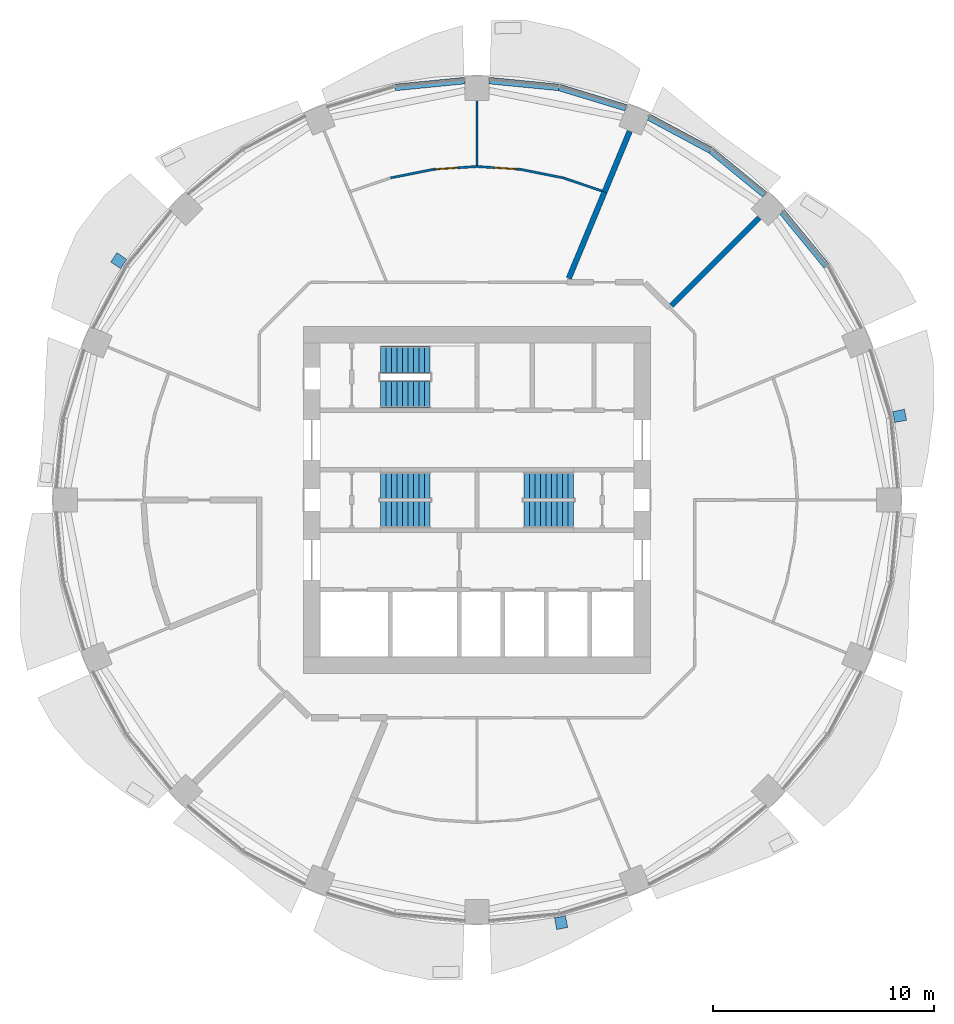
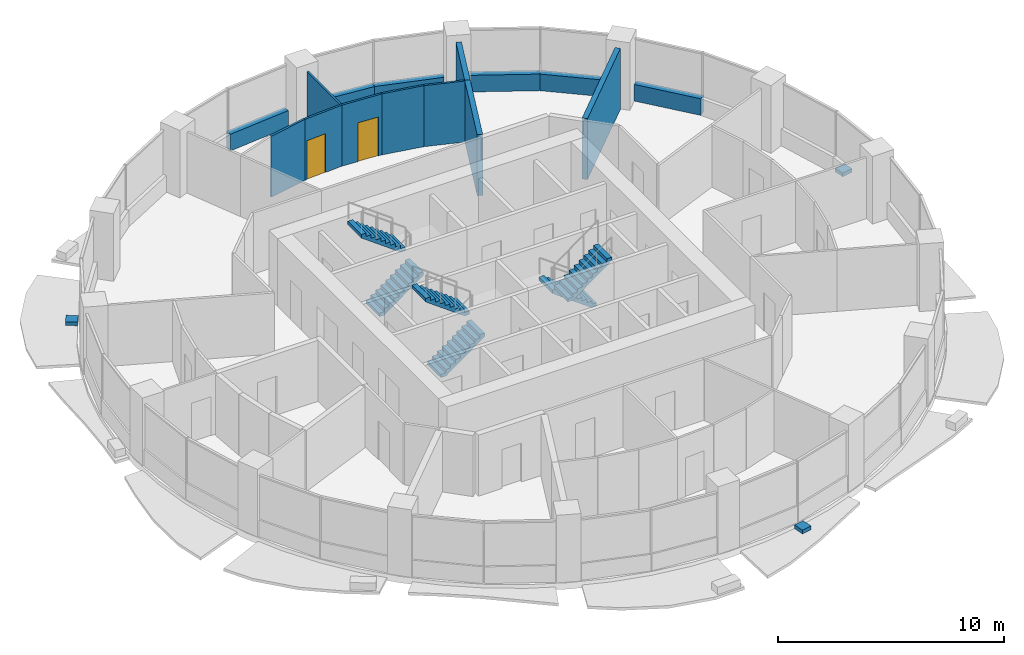
# One storey, part 10 of 14: 15 walls, 6 stair flights, 3 discrete accessories, 2 doors, 2 openings, 3 elements without a shape of their own.
"""IFC4 building model written with IfcOpenShell, lengths in metres."""

import ifcopenshell
import ifcopenshell.guid

model = None  # the IFC model being written
_history = None  # IfcOwnerHistory: only IFC2X3 demands one
_inside = {}  # id of a spatial element -> (the spatial element, [elements in it])
_under = {}  # id of a project, library or spatial element -> (it, [spatial elements below it])
_declared = {}  # id of a project -> (the project, [libraries it declares])
_typed = {}  # id of a type object -> (the type object, [elements of that type])
_made_of = {}  # id of a material, layer set ... -> (it, [elements and type objects made of it])


def new_model(schema):
    """Start an empty IFC model of exactly this schema.

    Asked for "IFC4X3", IfcOpenShell would pick the latest addendum, in which some entities
    have other attributes; the version numbers below select the first issue.
    IFC2X3 requires an IfcOwnerHistory on every rooted entity: one is made here for all.
    """
    global model, _history
    if schema == "IFC4X3":
        model = ifcopenshell.file(schema_version=(4, 3, 0, 0))
    else:
        model = ifcopenshell.file(schema=schema)
    _inside.clear()
    _under.clear()
    _declared.clear()
    _typed.clear()
    _made_of.clear()
    _history = None
    if model.schema == "IFC2X3":
        org = make("IfcOrganization", Name="unknown")
        user = make(
            "IfcPersonAndOrganization",
            ThePerson=make("IfcPerson", FamilyName="unknown"),
            TheOrganization=org,
        )
        app = make(
            "IfcApplication",
            ApplicationDeveloper=org,
            Version="unknown",
            ApplicationFullName="unknown",
            ApplicationIdentifier="unknown",
        )
        _history = make(
            "IfcOwnerHistory",
            OwningUser=user,
            OwningApplication=app,
            ChangeAction="ADDED",
            CreationDate=0,
        )
    return model


def make(cls, **values):
    """One entity of the class cls with the attributes given. An attribute that is None is left unset."""
    return model.create_entity(
        cls, **{name: value for name, value in values.items() if value is not None}
    )


def rooted(cls, **values):
    """An entity with a GlobalId (a new one), such as an element, a storey or a relation."""
    return make(cls, GlobalId=ifcopenshell.guid.new(), OwnerHistory=_history, **values)


def si_unit(unit_type, name, prefix=None):
    """IfcSIUnit, for example si_unit("LENGTHUNIT", "METRE", prefix="MILLI")."""
    return make("IfcSIUnit", UnitType=unit_type, Prefix=prefix, Name=name)


def assignment(units):
    """IfcUnitAssignment: the units of a project."""
    return None if units is None else make("IfcUnitAssignment", Units=units)


def point(xyz):
    """IfcCartesianPoint."""
    return None if xyz is None else make("IfcCartesianPoint", Coordinates=xyz)


def direction(xyz):
    """IfcDirection."""
    return None if xyz is None else make("IfcDirection", DirectionRatios=xyz)


def frame(location, z_axis=None, x_axis=None):
    """IfcAxis2Placement3D, a coordinate frame: its origin and axes. An axis left out is left unset."""
    return make(
        "IfcAxis2Placement3D",
        Location=point(location),
        Axis=direction(z_axis),
        RefDirection=direction(x_axis),
    )


def frame_2d(location, x_axis=None):
    """IfcAxis2Placement2D, a coordinate frame in the plane: its origin and x axis."""
    return make(
        "IfcAxis2Placement2D", Location=point(location), RefDirection=direction(x_axis)
    )


def origin():
    """The frame at (0, 0, 0) with its axes left unset."""
    return frame((0.0, 0.0, 0.0))


def place(relative_to, where):
    """IfcLocalPlacement: puts the frame where relative to a parent placement (None: the world)."""
    return make(
        "IfcLocalPlacement", PlacementRelTo=relative_to, RelativePlacement=where
    )


def context(
    kind, dimensions, precision=None, world=None, true_north=None, identifier=None
):
    """IfcGeometricRepresentationContext, for example the 3D "Model" context."""
    return make(
        "IfcGeometricRepresentationContext",
        ContextIdentifier=identifier,
        ContextType=kind,
        CoordinateSpaceDimension=dimensions,
        Precision=precision,
        WorldCoordinateSystem=world,
        TrueNorth=true_north,
    )


def subcontext(parent, identifier, kind, view, scale=None):
    """IfcGeometricRepresentationSubContext, for example "Body" below "Model"."""
    return make(
        "IfcGeometricRepresentationSubContext",
        ContextIdentifier=identifier,
        ContextType=kind,
        ParentContext=parent,
        TargetScale=scale,
        TargetView=view,
    )


def project(units=None, contexts=None):
    """IfcProject with its units and contexts."""
    return rooted(
        "IfcProject",
        Name="project",
        RepresentationContexts=contexts,
        UnitsInContext=assignment(units),
    )


def spatial(cls, under=None, at=None, **own):
    """A site, building, storey or space (cls), placed at a placement, below another one or the project."""
    s = rooted(cls, ObjectPlacement=at, **own)
    if under is not None:
        _under.setdefault(under.id(), (under, []))[1].append(s)
    return s


def polyline(points):
    """IfcPolyline through the points."""
    return make("IfcPolyline", Points=[point(p) for p in points])


def profile(cls, at=None, kind="AREA", **sizes):
    """A parametric profile (cls). Its sizes go by their IFC names, for example OverallWidth=200.0."""
    return make(cls, ProfileType=kind, Position=at, **sizes)


def rectangle(**sizes):
    """IfcRectangleProfileDef."""
    return profile("IfcRectangleProfileDef", **sizes)


def outline(outer, holes=None, kind="AREA"):
    """IfcArbitraryClosedProfileDef: a profile drawn as a closed curve; with holes, ...WithVoids."""
    if holes is None:
        return make("IfcArbitraryClosedProfileDef", ProfileType=kind, OuterCurve=outer)
    return make(
        "IfcArbitraryProfileDefWithVoids",
        ProfileType=kind,
        OuterCurve=outer,
        InnerCurves=holes,
    )


def extrude(swept, where, along, depth):
    """IfcExtrudedAreaSolid: the profile swept, set in the frame where, extruded along a direction by depth."""
    return make(
        "IfcExtrudedAreaSolid",
        SweptArea=swept,
        Position=where,
        ExtrudedDirection=direction(along),
        Depth=depth,
    )


def shape(context_of_items, identifier, shape_type, items):
    """IfcShapeRepresentation: the items that make up one representation, for example the "Body"."""
    return make(
        "IfcShapeRepresentation",
        ContextOfItems=context_of_items,
        RepresentationIdentifier=identifier,
        RepresentationType=shape_type,
        Items=items,
    )


def material(Name=None, Category=None):
    """IfcMaterial."""
    return make("IfcMaterial", Name=Name, Category=Category)


def layer(
    of_material, thickness, ventilated=None, Name=None, Category=None, Priority=None
):
    """IfcMaterialLayer: one layer of a wall or slab, of a material (None: an air gap)."""
    return make(
        "IfcMaterialLayer",
        Material=of_material,
        LayerThickness=thickness,
        IsVentilated=ventilated,
        Name=Name,
        Category=Category,
        Priority=Priority,
    )


def layer_set(layers, Name=None):
    """IfcMaterialLayerSet."""
    return make("IfcMaterialLayerSet", MaterialLayers=layers, LayerSetName=Name)


def made_of(thing, what):
    """Note that an element or type object is made of a material, layer set ...; save() writes the relation."""
    if what is not None:
        _made_of.setdefault(what.id(), (what, []))[1].append(thing)
    return thing


def type_object(cls, material=None, **own):
    """A type object (cls), such as IfcWallType, which elements share."""
    return made_of(rooted(cls, **own), material)


def element(
    cls,
    number,
    at=None,
    inside=None,
    cuts=None,
    type_object=None,
    material=None,
    context=None,
    identifier="Body",
    shape_type=None,
    held_by="IfcProductDefinitionShape",
    body=None,
    shapes=None,
    **own,
):
    """One element of the class cls, such as IfcWall. Its Tag is "e" and its number.

    at: its placement. inside: the storey or other place that contains it. cuts: it is an
    opening in that element (IfcRelVoidsElement). A single representation is given by context,
    identifier, shape_type and body (its items); several are given by shapes. held_by: the class
    of the entity that holds the representations. save() writes the other relations.
    """
    e = rooted(cls, Tag="e%d" % number, ObjectPlacement=at, **own)
    if body is not None:
        shapes = [shape(context, identifier, shape_type, body)]
    if shapes is not None:
        e.Representation = make(held_by, Representations=shapes)
    if inside is not None:
        _inside.setdefault(inside.id(), (inside, []))[1].append(e)
    if cuts is not None:
        rooted(
            "IfcRelVoidsElement", RelatingBuildingElement=cuts, RelatedOpeningElement=e
        )
    if type_object is not None:
        _typed.setdefault(type_object.id(), (type_object, []))[1].append(e)
    return made_of(e, material)


def fill(opening, filler):
    """IfcRelFillsElement: the door or window that sits in an opening."""
    return rooted(
        "IfcRelFillsElement",
        RelatingOpeningElement=opening,
        RelatedBuildingElement=filler,
    )


def aggregate(whole, parts):
    """IfcRelAggregates: a whole, such as a stair, and the parts it consists of."""
    return rooted("IfcRelAggregates", RelatingObject=whole, RelatedObjects=parts)


def save(model, path):
    """Write the relations noted so far, then the file.

    IfcRelAggregates (storeys below a building ...), IfcRelContainedInSpatialStructure (elements
    in a storey), IfcRelDefinesByType, IfcRelAssociatesMaterial and IfcRelDeclares: one each for
    every whole, place, type object, material and project.
    """
    for whole, parts in _under.values():
        aggregate(whole, parts)
    for where, things in _inside.values():
        rooted(
            "IfcRelContainedInSpatialStructure",
            RelatedElements=things,
            RelatingStructure=where,
        )
    for kind, things in _typed.values():
        rooted("IfcRelDefinesByType", RelatedObjects=things, RelatingType=kind)
    for what, things in _made_of.values():
        rooted("IfcRelAssociatesMaterial", RelatedObjects=things, RelatingMaterial=what)
    for by, libraries in _declared.values():
        rooted("IfcRelDeclares", RelatingContext=by, RelatedDefinitions=libraries)
    model.write(path)


model = new_model("IFC4")

# Units and contexts
model_context = context("Model", 3, precision=1e-05, world=origin(), true_north=direction((0.0, 1.0)))
body_context = subcontext(model_context, "Body", "Model", "MODEL_VIEW")
ifc_project = project(units=[si_unit("LENGTHUNIT", "METRE"), si_unit("AREAUNIT", "SQUARE_METRE"), si_unit("VOLUMEUNIT", "CUBIC_METRE"), si_unit("PLANEANGLEUNIT", "RADIAN"), si_unit("MASSUNIT", "GRAM", prefix="KILO")], contexts=[model_context])

# Site, building, storey
site_placement = place(None, origin())
site = spatial("IfcSite", under=ifc_project, at=site_placement, CompositionType="ELEMENT")
building_placement = place(site_placement, origin())
building = spatial("IfcBuilding", under=site, at=building_placement, Name="Polderwave Tower", CompositionType="ELEMENT")
storey_placement = place(building_placement, frame((0.0, 0.0, 101.949951171875)))
storey = spatial("IfcBuildingStorey", under=building, at=storey_placement, Name="L26", CompositionType="ELEMENT", Elevation=101.949951171875)

# Walls
ifc_material_1 = material(Name="Concrete C50/60 (board-marked)", Category="concrete")
ifc_layer_1 = layer(ifc_material_1, 0.300048828125)
ifc_layer_set_1 = layer_set([ifc_layer_1], Name="Concrete spandrel upstand C50/60")
wall_type_1 = type_object("IfcWallType", Name="Concrete spandrel upstand C50/60", PredefinedType="SOLIDWALL", material=ifc_layer_set_1)
for number, where, z_axis, x_axis, name in (
    (1, (15.846435546875, 10.606689453125, 0.0), (0.0, 0.0, 1.0), (-0.63437822698, 0.773022810229, 0.0), "Spandrel L26 2b"),
    (2, (13.04736328125, 13.843505859375, 0.0), (0.0, 0.0, 1.0), (-0.773022810229, 0.63437822698, 0.0), "Spandrel L26 3a"),
    (3, (10.581787109375, 15.863037109375, 0.0), (0.0, 0.0, 1.0), (-0.882005928597, 0.471238306932, 0.0), "Spandrel L26 3b"),
):
    element("IfcWall", number, at=place(storey_placement, frame(where, z_axis=z_axis, x_axis=x_axis)), inside=storey, type_object=wall_type_1, Name=name, PredefinedType="SOLIDWALL", context=body_context, shape_type="SweptSolid", body=[
        extrude(rectangle(XDim=3.1572265625, YDim=0.300048828125, at=frame_2d((1.57861328125, 0.0))), origin(), (0.0, 0.0, 1.0), 0.900146484375),
    ])
wall_1_placement = place(storey_placement, frame((6.755615234375, 17.782470703125, 0.0), z_axis=(0.0, 0.0, 1.0), x_axis=(-0.956874051907, 0.290503096001, 0.0)))
element("IfcWall", 4, at=wall_1_placement, inside=storey, type_object=wall_type_1, Name="Spandrel L26 4a", PredefinedType="SOLIDWALL", context=body_context, shape_type="SweptSolid", body=[
    extrude(rectangle(XDim=3.157470703125, YDim=0.300048828125, at=frame_2d((1.57861328125, 0.0))), origin(), (0.0, 0.0, 1.0), 0.900146484375),
])
for number, where, z_axis, x_axis, name in (
    (5, (3.705078125, 18.70556640625, 0.0), (0.0, 0.0, 1.0), (-0.995201239587, 0.097849336863, 0.0), "Spandrel L26 4b"),
    (6, (-0.56396484375, 19.014404296875, 0.0), (0.0, 0.0, 1.0), (-0.995201239587, -0.097849336863, 0.0), "Spandrel L26 5a"),
):
    element("IfcWall", number, at=place(storey_placement, frame(where, z_axis=z_axis, x_axis=x_axis)), inside=storey, type_object=wall_type_1, Name=name, PredefinedType="SOLIDWALL", context=body_context, shape_type="SweptSolid", body=[
        extrude(rectangle(XDim=3.15625, YDim=0.300048828125, at=frame_2d((1.578125, 0.0))), origin(), (0.0, 0.0, 1.0), 0.900146484375),
    ])
ifc_material_2 = material(Name="Plasterboard on steel studs", Category="steel")
ifc_layer_2 = layer(ifc_material_2, 0.10009765625)
ifc_layer_set_2 = layer_set([ifc_layer_2], Name="Partition 100 mm plasterboard on steel studs")
wall_type_2 = type_object("IfcWallType", Name="Partition 100 mm plasterboard on steel studs", PredefinedType="PARTITIONING", material=ifc_layer_set_2)
wall_2_placement = place(storey_placement, frame((0.0, 15.17578125, 0.0), z_axis=(0.0, 0.0, 1.0), x_axis=(0.0, 1.0, 0.0)))
element("IfcWall", 7, at=wall_2_placement, inside=storey, type_object=wall_type_2, Name="IN-L26-W035", PredefinedType="PARTITIONING", context=body_context, shape_type="SweptSolid", body=[
    extrude(rectangle(XDim=2.914306640625, YDim=0.10009765625, at=frame_2d((1.45703125, 0.0))), origin(), (0.0, 0.0, 1.0), 3.300048828125),
])

# Wall, opening, door
ifc_material_3 = material(Name="Moisture-resistant board on steel studs, tiled", Category="steel")
ifc_layer_3 = layer(ifc_material_3, 0.10498046875)
ifc_layer_set_3 = layer_set([ifc_layer_3], Name="Partition 105 mm wet room board and tile")
wall_type_3 = type_object("IfcWallType", Name="Partition 105 mm wet room board and tile", PredefinedType="PARTITIONING", material=ifc_layer_set_3)
wall_3_placement = place(storey_placement, frame((0.0, 15.1201171875, 0.0), z_axis=(0.0, 0.0, 1.0), x_axis=(0.997850326374, -0.06553416022, 0.0)))
wall_3 = element("IfcWall", 8, at=wall_3_placement, inside=storey, type_object=wall_type_3, Name="IN-L26-W032", PredefinedType="PARTITIONING", context=body_context, shape_type="SweptSolid", body=[
    extrude(rectangle(XDim=1.974365234375, YDim=0.10498046875, at=frame_2d((0.9873046875, 0.0))), origin(), (0.0, 0.0, 1.0), 3.300048828125),
])
opening_1_placement = place(wall_3_placement, frame((0.800048828125, 0.0, 0.0)))
opening_1 = element("IfcOpeningElement", 9, at=opening_1_placement, cuts=wall_3, Name="Opening L26-D61", PredefinedType="OPENING", context=body_context, shape_type="SweptSolid", body=[
    extrude(rectangle(XDim=1.0, YDim=2.10009765625, at=frame_2d((0.5, 1.050048828125))), frame((0.0, 0.0625, 0.0), z_axis=(0.0, -1.0, 0.0), x_axis=(1.0, 0.0, 0.0)), (0.0, 0.0, 1.0), 0.125),
])
ifc_material_4 = material(Name="Timber veneer door leaf", Category="wood")
door_type = type_object("IfcDoorType", Name="Single door 1000 x 2100", OperationType="NOTDEFINED", PredefinedType="DOOR", material=ifc_material_4)
door_1_placement = place(opening_1_placement, origin())
door_1 = element("IfcDoor", 10, at=door_1_placement, inside=storey, type_object=door_type, Name="Door L26-D61", OperationType="SINGLE_SWING_RIGHT", OverallHeight=2.10009765625, OverallWidth=1.0, PredefinedType="DOOR", context=body_context, shape_type="SweptSolid", body=[
    extrude(rectangle(XDim=1.0, YDim=2.10009765625, at=frame_2d((0.5, 1.050048828125))), frame((0.0, 0.02490234375, 0.0), z_axis=(0.0, -1.0, 0.0), x_axis=(1.0, 0.0, 0.0)), (0.0, 0.0, 1.0), 0.050048828125),
])
fill(opening_1, door_1)

# Walls
wall_4_placement = place(storey_placement, frame((3.909912109375, 14.60546875, 0.0), z_axis=(0.0, 0.0, 1.0), x_axis=(-0.980780283586, 0.195115441032, 0.0)))
element("IfcWall", 11, at=wall_4_placement, inside=storey, type_object=wall_type_3, Name="IN-L26-W033", PredefinedType="PARTITIONING", context=body_context, shape_type="SweptSolid", body=[
    extrude(rectangle(XDim=1.970703125, YDim=0.10498046875, at=frame_2d((0.9853515625, 0.0))), origin(), (0.0, 0.0, 1.0), 3.300048828125),
])
wall_5_placement = place(storey_placement, frame((5.664306640625, 14.010498046875, 0.0), z_axis=(0.0, 0.0, 1.0), x_axis=(-0.946936290846, 0.321421313976, 0.0)))
element("IfcWall", 12, at=wall_5_placement, inside=storey, type_object=wall_type_3, Name="IN-L26-W034", PredefinedType="PARTITIONING", context=body_context, shape_type="SweptSolid", body=[
    extrude(rectangle(XDim=1.845703125, YDim=0.10498046875, at=frame_2d((0.9228515625, 0.0))), origin(), (0.0, 0.0, 1.0), 3.300048828125),
])
wall_6_placement = place(storey_placement, frame((-3.909912109375, 14.60546875, 0.0), z_axis=(0.0, 0.0, 1.0), x_axis=(0.980780283586, 0.195115441032, 0.0)))
element("IfcWall", 13, at=wall_6_placement, inside=storey, type_object=wall_type_3, Name="IN-L26-W037", PredefinedType="PARTITIONING", context=body_context, shape_type="SweptSolid", body=[
    extrude(rectangle(XDim=1.970703125, YDim=0.10498046875, at=frame_2d((0.9853515625, 0.0))), origin(), (0.0, 0.0, 1.0), 3.300048828125),
])

# Wall, opening, door
wall_7_placement = place(storey_placement, frame((-1.97021484375, 14.99072265625, 0.0), z_axis=(0.0, 0.0, 1.0), x_axis=(0.997850326374, 0.06553416022, 0.0)))
wall_7 = element("IfcWall", 14, at=wall_7_placement, inside=storey, type_object=wall_type_3, Name="IN-L26-W038", PredefinedType="PARTITIONING", context=body_context, shape_type="SweptSolid", body=[
    extrude(rectangle(XDim=1.974365234375, YDim=0.10498046875, at=frame_2d((0.9873046875, 0.0))), origin(), (0.0, 0.0, 1.0), 3.300048828125),
])
opening_2_placement = place(wall_7_placement, frame((0.10009765625, 0.0, 0.0)))
opening_2 = element("IfcOpeningElement", 15, at=opening_2_placement, cuts=wall_7, Name="Opening L26-D62", PredefinedType="OPENING", context=body_context, shape_type="SweptSolid", body=[
    extrude(rectangle(XDim=1.0, YDim=2.10009765625, at=frame_2d((0.5, 1.050048828125))), frame((0.0, 0.0625, 0.0), z_axis=(0.0, -1.0, 0.0), x_axis=(1.0, 0.0, 0.0)), (0.0, 0.0, 1.0), 0.125),
])
door_2_placement = place(opening_2_placement, origin())
door_2 = element("IfcDoor", 16, at=door_2_placement, inside=storey, type_object=door_type, Name="Door L26-D62", OperationType="SINGLE_SWING_LEFT", OverallHeight=2.10009765625, OverallWidth=1.0, PredefinedType="DOOR", context=body_context, shape_type="SweptSolid", body=[
    extrude(rectangle(XDim=1.0, YDim=2.10009765625, at=frame_2d((0.5, 1.050048828125))), frame((0.0, 0.02490234375, 0.0), z_axis=(0.0, -1.0, 0.0), x_axis=(1.0, 0.0, 0.0)), (0.0, 0.0, 1.0), 0.050048828125),
])
fill(opening_2, door_2)

# Walls
ifc_material_5 = material(Name="Fire-resisting board on steel studs, mineral wool", Category="steel")
ifc_layer_4 = layer(ifc_material_5, 0.25)
ifc_layer_set_4 = layer_set([ifc_layer_4], Name="Plant room wall 250 mm EI 120")
wall_type_4 = type_object("IfcWallType", Name="Plant room wall 250 mm EI 120", PredefinedType="PARTITIONING", material=ifc_layer_set_4)
wall_8_placement = place(storey_placement, frame((12.79150390625, 12.79150390625, 0.0), z_axis=(0.0, 0.0, 1.0), x_axis=(-0.707106781187, -0.707106781187, 0.0)))
element("IfcWall", 17, at=wall_8_placement, inside=storey, type_object=wall_type_4, Name="IN-L26-W029", PredefinedType="PARTITIONING", context=body_context, shape_type="SweptSolid", body=[
    extrude(rectangle(XDim=5.629638671875, YDim=0.25, at=frame_2d((2.81494140625, 0.0))), origin(), (0.0, 0.0, 1.0), 3.300048828125),
])
wall_9_placement = place(storey_placement, frame((5.7861328125, 13.968994140625, 0.0), z_axis=(0.0, 0.0, 1.0), x_axis=(0.382659139036, 0.923889594764, 0.0)))
element("IfcWall", 18, at=wall_9_placement, inside=storey, type_object=wall_type_4, Name="IN-L26-W030", PredefinedType="PARTITIONING", context=body_context, shape_type="SweptSolid", body=[
    extrude(rectangle(XDim=2.969970703125, YDim=0.25, at=frame_2d((1.48486328125, 0.0))), origin(), (0.0, 0.0, 1.0), 3.300048828125),
])
wall_10_placement = place(storey_placement, frame((4.16162109375, 10.046875, 0.0), z_axis=(0.0, 0.0, 1.0), x_axis=(0.382666699469, 0.923886463326, 0.0)))
element("IfcWall", 19, at=wall_10_placement, inside=storey, type_object=wall_type_4, Name="IN-L26-W031", PredefinedType="PARTITIONING", context=body_context, shape_type="SweptSolid", body=[
    extrude(rectangle(XDim=4.245361328125, YDim=0.25, at=frame_2d((2.12255859375, 0.0))), origin(), (0.0, 0.0, 1.0), 3.300048828125),
])

# Stair, stair flights
ifc_material_6 = material(Name="Concrete C40/50", Category="concrete")
stair_type = type_object("IfcStairType", Name="Exit stair 1200 x 20 risers", PredefinedType="HALF_TURN_STAIR", material=ifc_material_6)
stair_1_placement = place(storey_placement, origin())
stair_1 = element("IfcStair", 20, at=stair_1_placement, inside=storey, type_object=stair_type, Name="L26 Exit stair A", PredefinedType="HALF_TURN_STAIR")
stair_flight_type = type_object("IfcStairFlightType", Name="Stair flight 1200", PredefinedType="STRAIGHT", material=ifc_material_6)
stair_flight_1_placement = place(storey_placement, frame((-4.3740234375, -0.675048828125, 0.0), z_axis=(0.0, 0.0, 1.0), x_axis=(1.0, 0.0, 0.0)))
stair_flight_1 = element("IfcStairFlight", 21, at=stair_flight_1_placement, type_object=stair_flight_type, Name="ST-A flight 1", NumberOfRisers=10, NumberOfTreads=9, PredefinedType="STRAIGHT", RiserHeight=0.1825, TreadLength=0.25, context=body_context, shape_type="SweptSolid", body=[
    extrude(outline(polyline([(0.0, 0.0), (0.0, 0.1826171875), (0.25, 0.1826171875), (0.25, 0.364990234375), (0.5, 0.364990234375), (0.5, 0.547607421875), (0.75, 0.547607421875), (0.75, 0.72998046875), (1.0, 0.72998046875), (1.0, 0.91259765625), (1.25, 0.91259765625), (1.25, 1.094970703125), (1.5, 1.094970703125), (1.5, 1.277587890625), (1.75, 1.277587890625), (1.75, 1.4599609375), (2.0, 1.4599609375), (2.0, 1.642578125), (2.25, 1.642578125), (2.25, 1.824951171875), (2.25, 1.456787109375), (0.254150390625, 0.0), (0.0, 0.0)])), frame((0.0, 0.60009765625, 0.0), z_axis=(0.0, -1.0, 0.0), x_axis=(1.0, 0.0, 0.0)), (0.0, 0.0, 1.0), 1.199951171875),
])
stair_flight_2_placement = place(storey_placement, frame((-2.1240234375, 0.675048828125, 1.824951171875), z_axis=(0.0, 0.0, 1.0), x_axis=(-1.0, 0.0, 0.0)))
stair_flight_2 = element("IfcStairFlight", 22, at=stair_flight_2_placement, type_object=stair_flight_type, Name="ST-A flight 2", NumberOfRisers=10, NumberOfTreads=9, PredefinedType="STRAIGHT", RiserHeight=0.1825, TreadLength=0.25, context=body_context, shape_type="SweptSolid", body=[
    extrude(outline(polyline([(0.0, 0.0), (0.0, 0.1826171875), (0.25, 0.1826171875), (0.25, 0.364990234375), (0.5, 0.364990234375), (0.5, 0.547607421875), (0.75, 0.547607421875), (0.75, 0.72998046875), (1.0, 0.72998046875), (1.0, 0.91259765625), (1.25, 0.91259765625), (1.25, 1.094970703125), (1.5, 1.094970703125), (1.5, 1.277587890625), (1.75, 1.277587890625), (1.75, 1.4599609375), (2.0, 1.4599609375), (2.0, 1.642578125), (2.25, 1.642578125), (2.25, 1.824951171875), (2.25, 1.456787109375), (0.254150390625, 0.0), (0.0, 0.0)])), frame((0.0, 0.60009765625, 0.0), z_axis=(0.0, -1.0, 0.0), x_axis=(1.0, 0.0, 0.0)), (0.0, 0.0, 1.0), 1.199951171875),
])
aggregate(stair_1, [stair_flight_1, stair_flight_2])

stair_2_placement = place(storey_placement, origin())
stair_2 = element("IfcStair", 23, at=stair_2_placement, inside=storey, type_object=stair_type, Name="L26 Exit stair B", PredefinedType="HALF_TURN_STAIR")
stair_flight_3_placement = place(storey_placement, frame((4.3740234375, 0.675048828125, 0.0), z_axis=(0.0, 0.0, 1.0), x_axis=(-1.0, 0.0, 0.0)))
stair_flight_3 = element("IfcStairFlight", 24, at=stair_flight_3_placement, type_object=stair_flight_type, Name="ST-B flight 1", NumberOfRisers=10, NumberOfTreads=9, PredefinedType="STRAIGHT", RiserHeight=0.1825, TreadLength=0.25, context=body_context, shape_type="SweptSolid", body=[
    extrude(outline(polyline([(0.0, 0.0), (0.0, 0.1826171875), (0.25, 0.1826171875), (0.25, 0.364990234375), (0.5, 0.364990234375), (0.5, 0.547607421875), (0.75, 0.547607421875), (0.75, 0.72998046875), (1.0, 0.72998046875), (1.0, 0.91259765625), (1.25, 0.91259765625), (1.25, 1.094970703125), (1.5, 1.094970703125), (1.5, 1.277587890625), (1.75, 1.277587890625), (1.75, 1.4599609375), (2.0, 1.4599609375), (2.0, 1.642578125), (2.25, 1.642578125), (2.25, 1.824951171875), (2.25, 1.456787109375), (0.254150390625, 0.0), (0.0, 0.0)])), frame((0.0, 0.60009765625, 0.0), z_axis=(0.0, -1.0, 0.0), x_axis=(1.0, 0.0, 0.0)), (0.0, 0.0, 1.0), 1.199951171875),
])
stair_flight_4_placement = place(storey_placement, frame((2.1240234375, -0.675048828125, 1.824951171875), z_axis=(0.0, 0.0, 1.0), x_axis=(1.0, 0.0, 0.0)))
stair_flight_4 = element("IfcStairFlight", 25, at=stair_flight_4_placement, type_object=stair_flight_type, Name="ST-B flight 2", NumberOfRisers=10, NumberOfTreads=9, PredefinedType="STRAIGHT", RiserHeight=0.1825, TreadLength=0.25, context=body_context, shape_type="SweptSolid", body=[
    extrude(outline(polyline([(0.0, 0.0), (0.0, 0.1826171875), (0.25, 0.1826171875), (0.25, 0.364990234375), (0.5, 0.364990234375), (0.5, 0.547607421875), (0.75, 0.547607421875), (0.75, 0.72998046875), (1.0, 0.72998046875), (1.0, 0.91259765625), (1.25, 0.91259765625), (1.25, 1.094970703125), (1.5, 1.094970703125), (1.5, 1.277587890625), (1.75, 1.277587890625), (1.75, 1.4599609375), (2.0, 1.4599609375), (2.0, 1.642578125), (2.25, 1.642578125), (2.25, 1.824951171875), (2.25, 1.456787109375), (0.254150390625, 0.0), (0.0, 0.0)])), frame((0.0, 0.60009765625, 0.0), z_axis=(0.0, -1.0, 0.0), x_axis=(1.0, 0.0, 0.0)), (0.0, 0.0, 1.0), 1.199951171875),
])
aggregate(stair_2, [stair_flight_3, stair_flight_4])

stair_3_placement = place(storey_placement, origin())
stair_3 = element("IfcStair", 26, at=stair_3_placement, inside=storey, type_object=stair_type, Name="L26 Exit stair C", PredefinedType="HALF_TURN_STAIR")
stair_flight_5_placement = place(storey_placement, frame((-4.3740234375, 4.77392578125, 0.0), z_axis=(0.0, 0.0, 1.0), x_axis=(1.0, 0.0, 0.0)))
stair_flight_5 = element("IfcStairFlight", 27, at=stair_flight_5_placement, type_object=stair_flight_type, Name="ST-C flight 1", NumberOfRisers=10, NumberOfTreads=9, PredefinedType="STRAIGHT", RiserHeight=0.1825, TreadLength=0.25, context=body_context, shape_type="SweptSolid", body=[
    extrude(outline(polyline([(0.0, 0.0), (0.0, 0.1826171875), (0.25, 0.1826171875), (0.25, 0.364990234375), (0.5, 0.364990234375), (0.5, 0.547607421875), (0.75, 0.547607421875), (0.75, 0.72998046875), (1.0, 0.72998046875), (1.0, 0.91259765625), (1.25, 0.91259765625), (1.25, 1.094970703125), (1.5, 1.094970703125), (1.5, 1.277587890625), (1.75, 1.277587890625), (1.75, 1.4599609375), (2.0, 1.4599609375), (2.0, 1.642578125), (2.25, 1.642578125), (2.25, 1.824951171875), (2.25, 1.456787109375), (0.254150390625, 0.0), (0.0, 0.0)])), frame((0.0, 0.60009765625, 0.0), z_axis=(0.0, -1.0, 0.0), x_axis=(1.0, 0.0, 0.0)), (0.0, 0.0, 1.0), 1.199951171875),
])
stair_flight_6_placement = place(storey_placement, frame((-2.1240234375, 6.3740234375, 1.824951171875), z_axis=(0.0, 0.0, 1.0), x_axis=(-1.0, 0.0, 0.0)))
stair_flight_6 = element("IfcStairFlight", 28, at=stair_flight_6_placement, type_object=stair_flight_type, Name="ST-C flight 2", NumberOfRisers=10, NumberOfTreads=9, PredefinedType="STRAIGHT", RiserHeight=0.1825, TreadLength=0.25, context=body_context, shape_type="SweptSolid", body=[
    extrude(outline(polyline([(0.0, 0.0), (0.0, 0.1826171875), (0.25, 0.1826171875), (0.25, 0.364990234375), (0.5, 0.364990234375), (0.5, 0.547607421875), (0.75, 0.547607421875), (0.75, 0.72998046875), (1.0, 0.72998046875), (1.0, 0.91259765625), (1.25, 0.91259765625), (1.25, 1.094970703125), (1.5, 1.094970703125), (1.5, 1.277587890625), (1.75, 1.277587890625), (1.75, 1.4599609375), (2.0, 1.4599609375), (2.0, 1.642578125), (2.25, 1.642578125), (2.25, 1.824951171875), (2.25, 1.456787109375), (0.254150390625, 0.0), (0.0, 0.0)])), frame((0.0, 0.60009765625, 0.0), z_axis=(0.0, -1.0, 0.0), x_axis=(1.0, 0.0, 0.0)), (0.0, 0.0, 1.0), 1.199951171875),
])
aggregate(stair_3, [stair_flight_5, stair_flight_6])

# Discrete accessories
ifc_material_7 = material(Name="Steel S355", Category="steel")
discrete_accessory_type = type_object("IfcDiscreteAccessoryType", Name="Band bracket pad", PredefinedType="BRACKET", material=ifc_material_7)
discrete_accessory_1_placement = place(storey_placement, frame((0.0, 0.0, -0.199951171875)))
element("IfcDiscreteAccessory", 29, at=discrete_accessory_1_placement, inside=storey, type_object=discrete_accessory_type, Name="Band bracket L26 1", PredefinedType="BRACKET", context=body_context, shape_type="SweptSolid", body=[
    extrude(outline(polyline([(18.936279296875, 3.51220703125), (18.899658203125, 3.759521484375), (18.839111328125, 4.001953125), (19.376953125, 4.1162109375), (19.477294921875, 3.6123046875), (18.936279296875, 3.51220703125)])), origin(), (0.0, 0.0, 1.0), 0.199951171875),
])
discrete_accessory_2_placement = place(storey_placement, frame((0.0, 0.0, -0.199951171875)))
element("IfcDiscreteAccessory", 30, at=discrete_accessory_2_placement, inside=storey, type_object=discrete_accessory_type, Name="Band bracket L26 7", PredefinedType="BRACKET", context=body_context, shape_type="SweptSolid", body=[
    extrude(outline(polyline([(-15.87353515625, 10.906494140625), (-16.0224609375, 10.705810546875), (-16.15087890625, 10.491455078125), (-16.6123046875, 10.791015625), (-16.326904296875, 11.218017578125), (-15.87353515625, 10.906494140625)])), origin(), (0.0, 0.0, 1.0), 0.199951171875),
])
discrete_accessory_3_placement = place(storey_placement, frame((0.0, 0.0, -0.199951171875)))
element("IfcDiscreteAccessory", 31, at=discrete_accessory_3_placement, inside=storey, type_object=discrete_accessory_type, Name="Band bracket L26 13", PredefinedType="BRACKET", context=body_context, shape_type="SweptSolid", body=[
    extrude(outline(polyline([(3.51220703125, -18.936279296875), (3.759521484375, -18.899658203125), (4.001953125, -18.839111328125), (4.1162109375, -19.376953125), (3.6123046875, -19.477294921875), (3.51220703125, -18.936279296875)])), origin(), (0.0, 0.0, 1.0), 0.199951171875),
])

save(model, "model.ifc")
